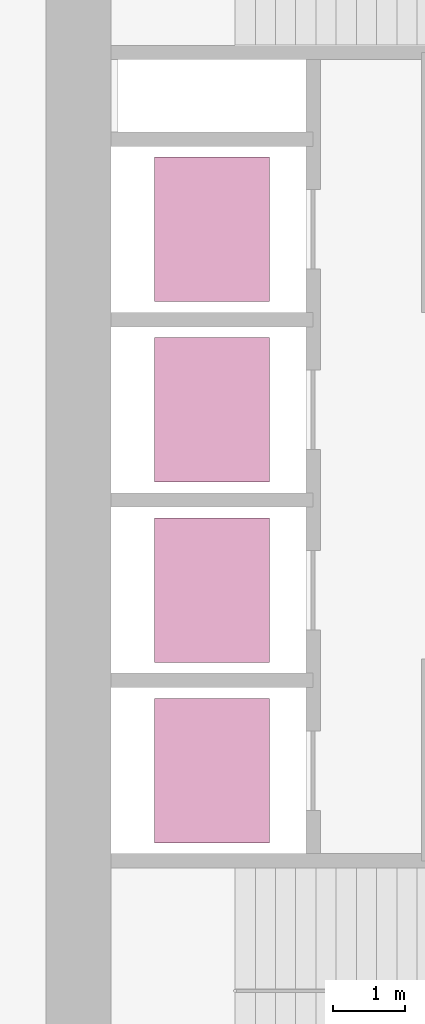
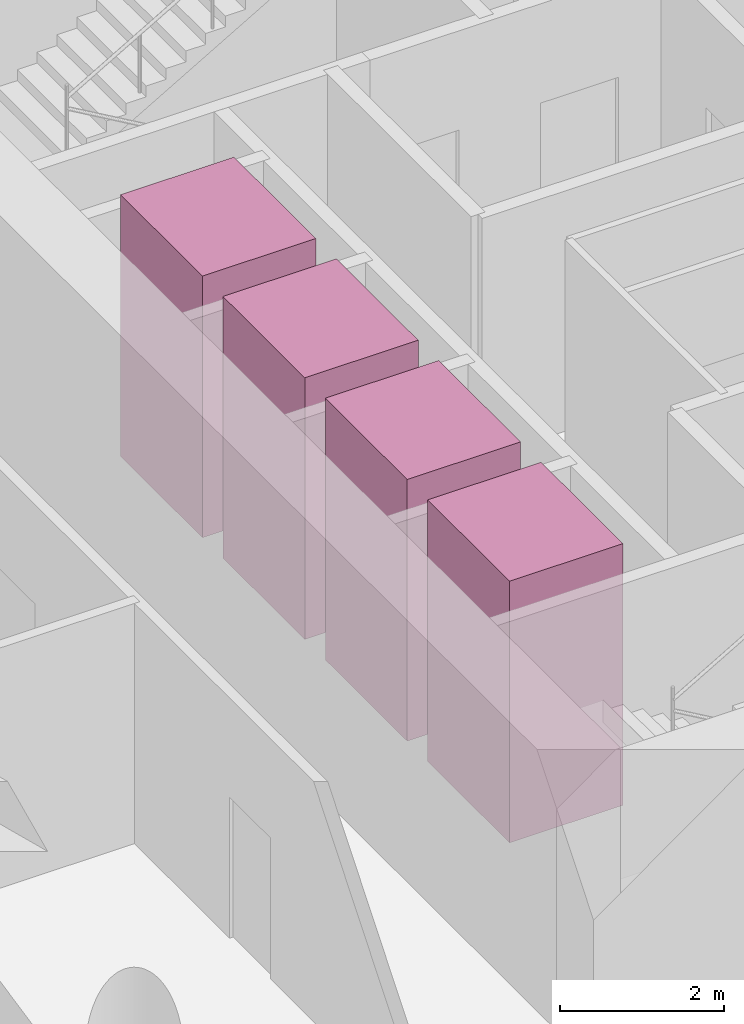
# One storey, part 11 of 11: 4 transport elements.
"""IFC4 building model written with IfcOpenShell, lengths in metres."""

import ifcopenshell
import ifcopenshell.guid

model = None  # the IFC model being written
_history = None  # IfcOwnerHistory: only IFC2X3 demands one
_inside = {}  # id of a spatial element -> (the spatial element, [elements in it])
_under = {}  # id of a project, library or spatial element -> (it, [spatial elements below it])
_declared = {}  # id of a project -> (the project, [libraries it declares])
_typed = {}  # id of a type object -> (the type object, [elements of that type])
_made_of = {}  # id of a material, layer set ... -> (it, [elements and type objects made of it])


def new_model(schema):
    """Start an empty IFC model of exactly this schema.

    Asked for "IFC4X3", IfcOpenShell would pick the latest addendum, in which some entities
    have other attributes; the version numbers below select the first issue.
    IFC2X3 requires an IfcOwnerHistory on every rooted entity: one is made here for all.
    """
    global model, _history
    if schema == "IFC4X3":
        model = ifcopenshell.file(schema_version=(4, 3, 0, 0))
    else:
        model = ifcopenshell.file(schema=schema)
    _inside.clear()
    _under.clear()
    _declared.clear()
    _typed.clear()
    _made_of.clear()
    _history = None
    if model.schema == "IFC2X3":
        org = make("IfcOrganization", Name="unknown")
        user = make(
            "IfcPersonAndOrganization",
            ThePerson=make("IfcPerson", FamilyName="unknown"),
            TheOrganization=org,
        )
        app = make(
            "IfcApplication",
            ApplicationDeveloper=org,
            Version="unknown",
            ApplicationFullName="unknown",
            ApplicationIdentifier="unknown",
        )
        _history = make(
            "IfcOwnerHistory",
            OwningUser=user,
            OwningApplication=app,
            ChangeAction="ADDED",
            CreationDate=0,
        )
    return model


def make(cls, **values):
    """One entity of the class cls with the attributes given. An attribute that is None is left unset."""
    return model.create_entity(
        cls, **{name: value for name, value in values.items() if value is not None}
    )


def rooted(cls, **values):
    """An entity with a GlobalId (a new one), such as an element, a storey or a relation."""
    return make(cls, GlobalId=ifcopenshell.guid.new(), OwnerHistory=_history, **values)


def si_unit(unit_type, name, prefix=None):
    """IfcSIUnit, for example si_unit("LENGTHUNIT", "METRE", prefix="MILLI")."""
    return make("IfcSIUnit", UnitType=unit_type, Prefix=prefix, Name=name)


def assignment(units):
    """IfcUnitAssignment: the units of a project."""
    return None if units is None else make("IfcUnitAssignment", Units=units)


def point(xyz):
    """IfcCartesianPoint."""
    return None if xyz is None else make("IfcCartesianPoint", Coordinates=xyz)


def direction(xyz):
    """IfcDirection."""
    return None if xyz is None else make("IfcDirection", DirectionRatios=xyz)


def frame(location, z_axis=None, x_axis=None):
    """IfcAxis2Placement3D, a coordinate frame: its origin and axes. An axis left out is left unset."""
    return make(
        "IfcAxis2Placement3D",
        Location=point(location),
        Axis=direction(z_axis),
        RefDirection=direction(x_axis),
    )


def frame_2d(location, x_axis=None):
    """IfcAxis2Placement2D, a coordinate frame in the plane: its origin and x axis."""
    return make(
        "IfcAxis2Placement2D", Location=point(location), RefDirection=direction(x_axis)
    )


def origin():
    """The frame at (0, 0, 0) with its axes left unset."""
    return frame((0.0, 0.0, 0.0))


def origin_2d():
    """The frame at (0, 0) in the plane with its x axis left unset."""
    return frame_2d((0.0, 0.0))


def place(relative_to, where):
    """IfcLocalPlacement: puts the frame where relative to a parent placement (None: the world)."""
    return make(
        "IfcLocalPlacement", PlacementRelTo=relative_to, RelativePlacement=where
    )


def context(
    kind, dimensions, precision=None, world=None, true_north=None, identifier=None
):
    """IfcGeometricRepresentationContext, for example the 3D "Model" context."""
    return make(
        "IfcGeometricRepresentationContext",
        ContextIdentifier=identifier,
        ContextType=kind,
        CoordinateSpaceDimension=dimensions,
        Precision=precision,
        WorldCoordinateSystem=world,
        TrueNorth=true_north,
    )


def subcontext(parent, identifier, kind, view, scale=None):
    """IfcGeometricRepresentationSubContext, for example "Body" below "Model"."""
    return make(
        "IfcGeometricRepresentationSubContext",
        ContextIdentifier=identifier,
        ContextType=kind,
        ParentContext=parent,
        TargetScale=scale,
        TargetView=view,
    )


def project(units=None, contexts=None):
    """IfcProject with its units and contexts."""
    return rooted(
        "IfcProject",
        Name="project",
        RepresentationContexts=contexts,
        UnitsInContext=assignment(units),
    )


def spatial(cls, under=None, at=None, **own):
    """A site, building, storey or space (cls), placed at a placement, below another one or the project."""
    s = rooted(cls, ObjectPlacement=at, **own)
    if under is not None:
        _under.setdefault(under.id(), (under, []))[1].append(s)
    return s


def profile(cls, at=None, kind="AREA", **sizes):
    """A parametric profile (cls). Its sizes go by their IFC names, for example OverallWidth=200.0."""
    return make(cls, ProfileType=kind, Position=at, **sizes)


def rectangle(**sizes):
    """IfcRectangleProfileDef."""
    return profile("IfcRectangleProfileDef", **sizes)


def extrude(swept, where, along, depth):
    """IfcExtrudedAreaSolid: the profile swept, set in the frame where, extruded along a direction by depth."""
    return make(
        "IfcExtrudedAreaSolid",
        SweptArea=swept,
        Position=where,
        ExtrudedDirection=direction(along),
        Depth=depth,
    )


def shape(context_of_items, identifier, shape_type, items):
    """IfcShapeRepresentation: the items that make up one representation, for example the "Body"."""
    return make(
        "IfcShapeRepresentation",
        ContextOfItems=context_of_items,
        RepresentationIdentifier=identifier,
        RepresentationType=shape_type,
        Items=items,
    )


def material(Name=None, Category=None):
    """IfcMaterial."""
    return make("IfcMaterial", Name=Name, Category=Category)


def made_of(thing, what):
    """Note that an element or type object is made of a material, layer set ...; save() writes the relation."""
    if what is not None:
        _made_of.setdefault(what.id(), (what, []))[1].append(thing)
    return thing


def type_object(cls, material=None, **own):
    """A type object (cls), such as IfcWallType, which elements share."""
    return made_of(rooted(cls, **own), material)


def element(
    cls,
    number,
    at=None,
    inside=None,
    cuts=None,
    type_object=None,
    material=None,
    context=None,
    identifier="Body",
    shape_type=None,
    held_by="IfcProductDefinitionShape",
    body=None,
    shapes=None,
    **own,
):
    """One element of the class cls, such as IfcWall. Its Tag is "e" and its number.

    at: its placement. inside: the storey or other place that contains it. cuts: it is an
    opening in that element (IfcRelVoidsElement). A single representation is given by context,
    identifier, shape_type and body (its items); several are given by shapes. held_by: the class
    of the entity that holds the representations. save() writes the other relations.
    """
    e = rooted(cls, Tag="e%d" % number, ObjectPlacement=at, **own)
    if body is not None:
        shapes = [shape(context, identifier, shape_type, body)]
    if shapes is not None:
        e.Representation = make(held_by, Representations=shapes)
    if inside is not None:
        _inside.setdefault(inside.id(), (inside, []))[1].append(e)
    if cuts is not None:
        rooted(
            "IfcRelVoidsElement", RelatingBuildingElement=cuts, RelatedOpeningElement=e
        )
    if type_object is not None:
        _typed.setdefault(type_object.id(), (type_object, []))[1].append(e)
    return made_of(e, material)


def aggregate(whole, parts):
    """IfcRelAggregates: a whole, such as a stair, and the parts it consists of."""
    return rooted("IfcRelAggregates", RelatingObject=whole, RelatedObjects=parts)


def save(model, path):
    """Write the relations noted so far, then the file.

    IfcRelAggregates (storeys below a building ...), IfcRelContainedInSpatialStructure (elements
    in a storey), IfcRelDefinesByType, IfcRelAssociatesMaterial and IfcRelDeclares: one each for
    every whole, place, type object, material and project.
    """
    for whole, parts in _under.values():
        aggregate(whole, parts)
    for where, things in _inside.values():
        rooted(
            "IfcRelContainedInSpatialStructure",
            RelatedElements=things,
            RelatingStructure=where,
        )
    for kind, things in _typed.values():
        rooted("IfcRelDefinesByType", RelatedObjects=things, RelatingType=kind)
    for what, things in _made_of.values():
        rooted("IfcRelAssociatesMaterial", RelatedObjects=things, RelatingMaterial=what)
    for by, libraries in _declared.values():
        rooted("IfcRelDeclares", RelatingContext=by, RelatedDefinitions=libraries)
    model.write(path)


model = new_model("IFC4")

# Units and contexts
model_context = context("Model", 3, precision=1e-05, world=origin(), true_north=direction((0.0, 1.0)))
body_context = subcontext(model_context, "Body", "Model", "MODEL_VIEW")
ifc_project = project(units=[si_unit("LENGTHUNIT", "METRE"), si_unit("AREAUNIT", "SQUARE_METRE"), si_unit("VOLUMEUNIT", "CUBIC_METRE"), si_unit("PLANEANGLEUNIT", "RADIAN"), si_unit("MASSUNIT", "GRAM", prefix="KILO")], contexts=[model_context])

# Site, building, storey
site_placement = place(None, origin())
site = spatial("IfcSite", under=ifc_project, at=site_placement, CompositionType="ELEMENT")
building_placement = place(site_placement, origin())
building = spatial("IfcBuilding", under=site, at=building_placement, Name="Qaws Garden Tower", CompositionType="ELEMENT")
storey_placement = place(building_placement, frame((0.0, 0.0, 23.699951171875)))
storey = spatial("IfcBuildingStorey", under=building, at=storey_placement, Name="L05", CompositionType="ELEMENT", Elevation=23.699951171875)

# Transport elements
ifc_material = material(Name="Stainless steel 316", Category="steel")
transport_element_type = type_object("IfcTransportElementType", Name="Passenger lift car 2000x1600 1800 kg", PredefinedType="ELEVATOR", material=ifc_material)
for number, where, z_axis, x_axis, name in (
    (1, (10.300048828125, 13.64990234375, 0.0), (0.0, 0.0, 1.0), (1.0, 0.0, 0.0), "LR1"),
    (2, (10.300048828125, 16.14990234375, 0.0), (0.0, 0.0, 1.0), (1.0, 0.0, 0.0), "LR2"),
    (3, (10.300048828125, 18.64990234375, 0.0), (0.0, 0.0, 1.0), (1.0, 0.0, 0.0), "LR3"),
    (4, (10.300048828125, 21.14990234375, 0.0), (0.0, 0.0, 1.0), (1.0, 0.0, 0.0), "LR4"),
):
    element("IfcTransportElement", number, at=place(storey_placement, frame(where, z_axis=z_axis, x_axis=x_axis)), inside=storey, type_object=transport_element_type, Name=name, PredefinedType="ELEVATOR", context=body_context, shape_type="SweptSolid", body=[
        extrude(rectangle(XDim=1.60009765625, YDim=2.0, at=origin_2d()), origin(), (0.0, 0.0, 1.0), 3.89990234375),
    ])

save(model, "model.ifc")
